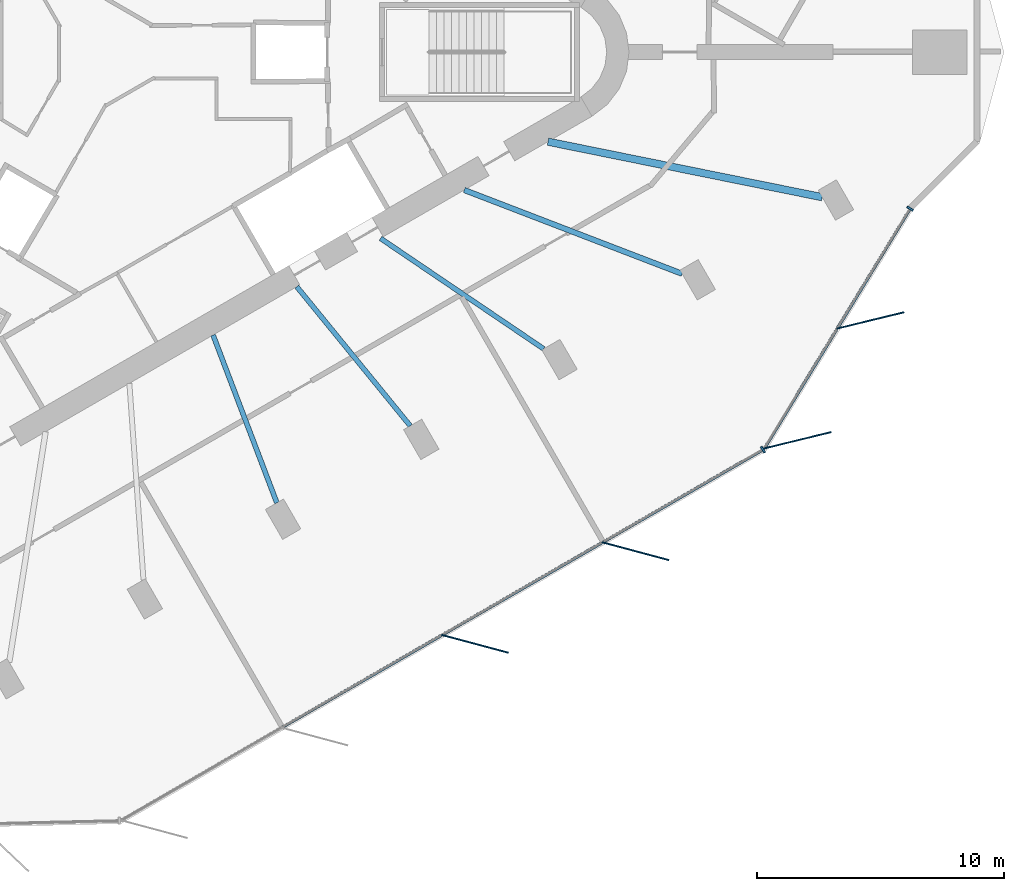
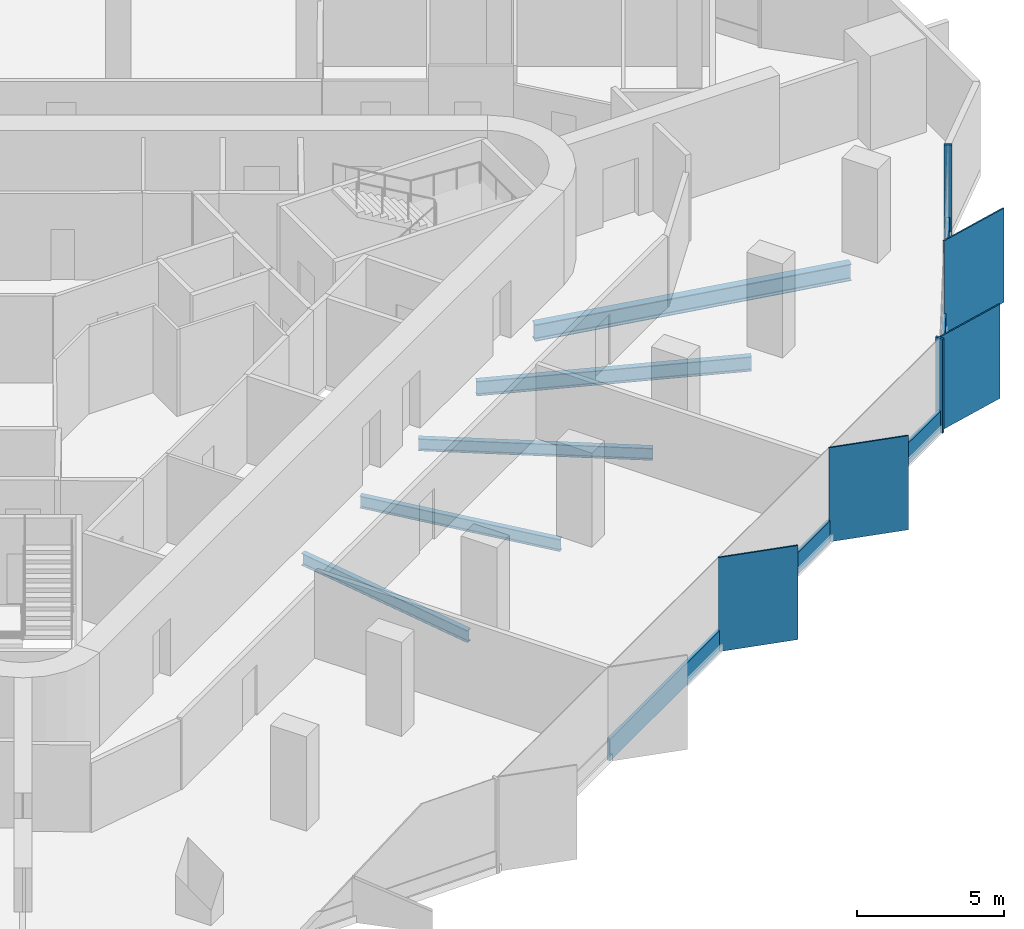
# One storey, part 3 of 12: 11 members, 5 beams, 2 elements without a shape of their own.
"""IFC4 building model written with IfcOpenShell, lengths in metres."""

from ifc_helpers import new_model, si_unit, direction, frame, origin, origin_2d, place, context, subcontext, project, spatial, rectangle, i_section, extrude, material, material_profile, profile_set, type_object, element, aggregate, save


model = new_model("IFC4")

# Units and contexts
model_context = context("Model", 3, precision=1e-05, world=origin(), true_north=direction((0.0, 1.0)))
body_context = subcontext(model_context, "Body", "Model", "MODEL_VIEW")
ifc_project = project(units=[si_unit("LENGTHUNIT", "METRE"), si_unit("AREAUNIT", "SQUARE_METRE"), si_unit("VOLUMEUNIT", "CUBIC_METRE"), si_unit("PLANEANGLEUNIT", "RADIAN"), si_unit("MASSUNIT", "GRAM", prefix="KILO")], contexts=[model_context])

# Site, building, storey
site_placement = place(None, origin())
site = spatial("IfcSite", under=ifc_project, at=site_placement, CompositionType="ELEMENT")
building_placement = place(site_placement, origin())
building = spatial("IfcBuilding", under=site, at=building_placement, Name="Tanit Gate Tower", CompositionType="ELEMENT")
storey_placement = place(building_placement, frame((0.0, 0.0, 337.699951171875)))
storey = spatial("IfcBuildingStorey", under=building, at=storey_placement, Name="L76", CompositionType="ELEMENT", Elevation=337.699951171875)

# Curtain wall, members
ifc_material_1 = material(Name="Aluminium bronze anodised and glass", Category="aluminium")
curtain_wall_type = type_object("IfcCurtainWallType", Name="Curtain wall typical high", PredefinedType="NOTDEFINED", material=ifc_material_1)
curtain_wall_1_placement = place(storey_placement, origin())
curtain_wall_1 = element("IfcCurtainWall", 1, at=curtain_wall_1_placement, inside=storey, type_object=curtain_wall_type, Name="Curtain wall L76 SE2", PredefinedType="NOTDEFINED")
ifc_material_2 = material(Name="Aluminium bronze anodised", Category="aluminium")
ifc_material_profile_1 = material_profile(ifc_material_2, rectangle(XDim=2.800048828125, YDim=0.055908203125, at=origin_2d()), Name="56x2800 bronze fin mullion")
ifc_profile_set_1 = profile_set([ifc_material_profile_1], Name="Aluminium bronze anodised")
member_type_1 = type_object("IfcMemberType", Name="FIN MULLION 56x2800 bronze", PredefinedType="MULLION", material=ifc_profile_set_1)
member_1_placement = place(storey_placement, frame((14.9619140625, -23.963134765625, -0.300048828125), z_axis=(0.0, 0.0, 1.0), x_axis=(-0.965907877772, 0.258886020591, 0.0)))
member_1 = element("IfcMember", 2, at=member_1_placement, type_object=member_type_1, Name="Fin mullion L76 SE2.3", PredefinedType="MULLION", context=body_context, shape_type="SweptSolid", body=[
    extrude(rectangle(XDim=2.800048828125, YDim=0.055908203125, at=origin_2d()), origin(), (0.0, 0.0, 1.0), 3.900146484375),
])
member_2_placement = place(storey_placement, frame((21.4609375, -20.211669921875, -0.300048828125), z_axis=(0.0, 0.0, 1.0), x_axis=(-0.965907877772, 0.258886020591, 0.0)))
member_2 = element("IfcMember", 3, at=member_2_placement, type_object=member_type_1, Name="Fin mullion L76 SE2.4", PredefinedType="MULLION", context=body_context, shape_type="SweptSolid", body=[
    extrude(rectangle(XDim=2.800048828125, YDim=0.055908203125, at=origin_2d()), origin(), (0.0, 0.0, 1.0), 3.900146484375),
])

curtain_wall_2_placement = place(storey_placement, origin())
curtain_wall_2 = element("IfcCurtainWall", 4, at=curtain_wall_2_placement, inside=storey, type_object=curtain_wall_type, Name="Curtain wall L76 SE3", PredefinedType="NOTDEFINED")
member_3_placement = place(storey_placement, frame((28.023193359375, -15.721923828125, -0.300048828125), z_axis=(0.0, 0.0, 1.0), x_axis=(-0.971594708401, -0.236651056638, 0.0)))
member_3 = element("IfcMember", 5, at=member_3_placement, type_object=member_type_1, Name="Fin mullion L76 SE3.1", PredefinedType="MULLION", context=body_context, shape_type="SweptSolid", body=[
    extrude(rectangle(XDim=2.800048828125, YDim=0.055908203125, at=origin_2d()), origin(), (0.0, 0.0, 1.0), 3.900146484375),
])
member_4_placement = place(storey_placement, frame((30.9755859375, -10.867919921875, -0.300048828125), z_axis=(0.0, 0.0, 1.0), x_axis=(-0.971594708401, -0.236651056638, 0.0)))
member_4 = element("IfcMember", 6, at=member_4_placement, type_object=member_type_1, Name="Fin mullion L76 SE3.2", PredefinedType="MULLION", context=body_context, shape_type="SweptSolid", body=[
    extrude(rectangle(XDim=2.800048828125, YDim=0.055908203125, at=origin_2d()), origin(), (0.0, 0.0, 1.0), 3.900146484375),
])

# Member
ifc_material_3 = material(Name="Aluminium bronze anodised", Category="aluminium")
ifc_material_profile_2 = material_profile(ifc_material_3, rectangle(XDim=0.280029296875, YDim=0.080078125, at=origin_2d()), Name="80x280 bronze mullion")
ifc_profile_set_2 = profile_set([ifc_material_profile_2], Name="Aluminium bronze anodised")
member_type_2 = type_object("IfcMemberType", Name="Mullion 80x280 typical high", PredefinedType="MULLION", material=ifc_profile_set_2)
member_5_placement = place(storey_placement, frame((26.626708984375, -16.102783203125, -0.300048828125), z_axis=(0.0, 0.0, 1.0), x_axis=(-0.49993994966, 0.866060071089, 0.0)))
member_5 = element("IfcMember", 7, at=member_5_placement, type_object=member_type_2, Name="Mullion L76 SE2.5", PredefinedType="MULLION", context=body_context, shape_type="SweptSolid", body=[
    extrude(rectangle(XDim=0.280029296875, YDim=0.080078125, at=origin_2d()), origin(), (0.0, 0.0, 1.0), 3.900146484375),
])

member_6_placement = place(storey_placement, frame((32.587158203125, -6.340576171875, -0.300048828125), z_axis=(0.0, 0.0, 1.0), x_axis=(-0.854358773799, 0.519683639951, 0.0)))
member_6 = element("IfcMember", 8, at=member_6_placement, type_object=member_type_2, Name="Mullion L76 SE3.3", PredefinedType="MULLION", context=body_context, shape_type="SweptSolid", body=[
    extrude(rectangle(XDim=0.280029296875, YDim=0.080078125, at=origin_2d()), origin(), (0.0, 0.0, 1.0), 3.900146484375),
])

# Beams
ifc_material_4 = material(Name="Steel S355", Category="steel")
ifc_material_profile_3 = material_profile(ifc_material_4, i_section(OverallWidth=0.300048828125, OverallDepth=0.68994140625, WebThickness=0.014404296875, FlangeThickness=0.027099609375, FilletRadius=0.027099609375, at=origin_2d()), Name="HEA 700")
ifc_profile_set_3 = profile_set([ifc_material_profile_3], Name="Steel S355")
beam_type_1 = type_object("IfcBeamType", Name="RADIAL GIRDER HEA 700 S355", PredefinedType="BEAM", material=ifc_profile_set_3)
beam_1_placement = place(storey_placement, frame((29.02587890625, -5.876953125, -0.64501953125), z_axis=(-0.980109678628, 0.198456589357, 0.0), x_axis=(-0.198456589357, -0.980109678628, 0.0)))
element("IfcBeam", 9, at=beam_1_placement, inside=storey, type_object=beam_type_1, Name="RADIAL GIRDER", PredefinedType="BEAM", context=body_context, shape_type="SweptSolid", body=[
    extrude(i_section(OverallWidth=0.300048828125, OverallDepth=0.68994140625, WebThickness=0.014404296875, FlangeThickness=0.027099609375, FilletRadius=0.027099609375, at=origin_2d()), origin(), (0.0, 0.0, 1.0), 11.331298828125),
])
ifc_material_5 = material(Name="Steel S355", Category="steel")
ifc_material_profile_4 = material_profile(ifc_material_5, i_section(OverallWidth=0.199951171875, OverallDepth=0.5, WebThickness=0.01025390625, FlangeThickness=0.01611328125, FilletRadius=0.02099609375, at=origin_2d()), Name="IPE 500")
ifc_profile_set_4 = profile_set([ifc_material_profile_4], Name="Steel S355")
beam_type_2 = type_object("IfcBeamType", Name="RADIAL GIRDER IPE 500 S355", PredefinedType="BEAM", material=ifc_profile_set_4)
for number, where, z_axis, x_axis, name in (
    (10, (6.93798828125, -18.25439453125, -0.550048828125), (-0.355282914481, 0.934758819524, 0.0), (-0.934758819524, -0.355282914481, 0.0), "RADIAL GIRDER"),
    (11, (12.339599609375, -15.135498046875, -0.550048828125), (-0.631881514108, 0.775064998648, 0.0), (-0.775064998648, -0.631881514108, 0.0), "RADIAL GIRDER"),
):
    element("IfcBeam", number, at=place(storey_placement, frame(where, z_axis=z_axis, x_axis=x_axis)), inside=storey, type_object=beam_type_2, Name=name, PredefinedType="BEAM", context=body_context, shape_type="SweptSolid", body=[
        extrude(i_section(OverallWidth=0.199951171875, OverallDepth=0.5, WebThickness=0.01025390625, FlangeThickness=0.01611328125, FilletRadius=0.02099609375, at=origin_2d()), origin(), (0.0, 0.0, 1.0), 7.268798828125),
    ])
beam_2_placement = place(storey_placement, frame((17.741455078125, -12.016845703125, -0.550048828125), z_axis=(-0.827954450749, 0.560795352589, 0.0), x_axis=(-0.560795352589, -0.827954450749, 0.0)))
element("IfcBeam", 12, at=beam_2_placement, inside=storey, type_object=beam_type_2, Name="RADIAL GIRDER", PredefinedType="BEAM", context=body_context, shape_type="SweptSolid", body=[
    extrude(i_section(OverallWidth=0.199951171875, OverallDepth=0.5, WebThickness=0.01025390625, FlangeThickness=0.01611328125, FilletRadius=0.02099609375, at=origin_2d()), origin(), (0.0, 0.0, 1.0), 7.97607421875),
])
ifc_material_6 = material(Name="Steel S355", Category="steel")
ifc_material_profile_5 = material_profile(ifc_material_6, i_section(OverallWidth=0.219970703125, OverallDepth=0.60009765625, WebThickness=0.011962890625, FlangeThickness=0.01904296875, FilletRadius=0.02392578125, at=origin_2d()), Name="IPE 600")
ifc_profile_set_5 = profile_set([ifc_material_profile_5], Name="Steel S355")
beam_type_3 = type_object("IfcBeamType", Name="RADIAL GIRDER IPE 600 S355", PredefinedType="BEAM", material=ifc_profile_set_5)
beam_3_placement = place(storey_placement, frame((23.352783203125, -8.978759765625, -0.599853515625), z_axis=(-0.933390193585, 0.358863130622, 0.0), x_axis=(-0.358863130622, -0.933390193585, 0.0)))
element("IfcBeam", 13, at=beam_3_placement, inside=storey, type_object=beam_type_3, Name="RADIAL GIRDER", PredefinedType="BEAM", context=body_context, shape_type="SweptSolid", body=[
    extrude(i_section(OverallWidth=0.219970703125, OverallDepth=0.60009765625, WebThickness=0.011962890625, FlangeThickness=0.01904296875, FilletRadius=0.02392578125, at=origin_2d()), origin(), (0.0, 0.0, 1.0), 9.45361328125),
])

# Member
ifc_material_7 = material(Name="Aluminium bronze anodised", Category="aluminium")
ifc_material_profile_6 = material_profile(ifc_material_7, rectangle(XDim=0.1201171875, YDim=0.89990234375, at=origin_2d()), Name="120x900 bronze transom")
ifc_profile_set_6 = profile_set([ifc_material_profile_6], Name="Aluminium bronze anodised")
member_type_3 = type_object("IfcMemberType", Name="Transom 120x900 typical high", PredefinedType="USERDEFINED", material=ifc_profile_set_6)
member_7_placement = place(storey_placement, frame((7.16455078125, -27.33740234375, 0.150146484375), z_axis=(0.866069496621, 0.499923621189, 0.0), x_axis=(-0.499923621189, 0.866069496621, 0.0)))
member_7 = element("IfcMember", 14, at=member_7_placement, type_object=member_type_3, Name="Transom L76 SE2.2", ObjectType="TRANSOM", PredefinedType="USERDEFINED", context=body_context, shape_type="SweptSolid", body=[
    extrude(rectangle(XDim=0.1201171875, YDim=0.89990234375, at=origin_2d()), origin(), (0.0, 0.0, 1.0), 7.424072265625),
])

member_8_placement = place(storey_placement, frame((13.66357421875, -23.5859375, 0.150146484375), z_axis=(0.866047038303, 0.499962526042, 0.0), x_axis=(-0.499962526042, 0.866047038303, 0.0)))
member_8 = element("IfcMember", 15, at=member_8_placement, type_object=member_type_3, Name="Transom L76 SE2.3", ObjectType="TRANSOM", PredefinedType="USERDEFINED", context=body_context, shape_type="SweptSolid", body=[
    extrude(rectangle(XDim=0.1201171875, YDim=0.89990234375, at=origin_2d()), origin(), (0.0, 0.0, 1.0), 7.423828125),
])

member_9_placement = place(storey_placement, frame((20.162353515625, -19.834228515625, 0.150146484375), z_axis=(0.866069496621, 0.499923621189, 0.0), x_axis=(-0.499923621189, 0.866069496621, 0.0)))
member_9 = element("IfcMember", 16, at=member_9_placement, type_object=member_type_3, Name="Transom L76 SE2.4", ObjectType="TRANSOM", PredefinedType="USERDEFINED", context=body_context, shape_type="SweptSolid", body=[
    extrude(rectangle(XDim=0.1201171875, YDim=0.89990234375, at=origin_2d()), origin(), (0.0, 0.0, 1.0), 7.424072265625),
])

aggregate(curtain_wall_1, [member_1, member_2, member_5, member_7, member_8, member_9])

member_10_placement = place(storey_placement, frame((26.702880859375, -16.014404296875, 0.150146484375), z_axis=(0.51970357306, 0.854346648702, 0.0), x_axis=(-0.854346648702, 0.51970357306, 0.0)))
member_10 = element("IfcMember", 17, at=member_10_placement, type_object=member_type_3, Name="Transom L76 SE3.1", ObjectType="TRANSOM", PredefinedType="USERDEFINED", context=body_context, shape_type="SweptSolid", body=[
    extrude(rectangle(XDim=0.1201171875, YDim=0.89990234375, at=origin_2d()), origin(), (0.0, 0.0, 1.0), 5.6015625),
])

member_11_placement = place(storey_placement, frame((29.655517578125, -11.160400390625, 0.150146484375), z_axis=(0.519671759173, 0.854366000446, 0.0), x_axis=(-0.854366000446, 0.519671759173, 0.0)))
member_11 = element("IfcMember", 18, at=member_11_placement, type_object=member_type_3, Name="Transom L76 SE3.2", ObjectType="TRANSOM", PredefinedType="USERDEFINED", context=body_context, shape_type="SweptSolid", body=[
    extrude(rectangle(XDim=0.1201171875, YDim=0.89990234375, at=origin_2d()), origin(), (0.0, 0.0, 1.0), 5.601318359375),
])

aggregate(curtain_wall_2, [member_3, member_4, member_6, member_10, member_11])

save(model, "model.ifc")
